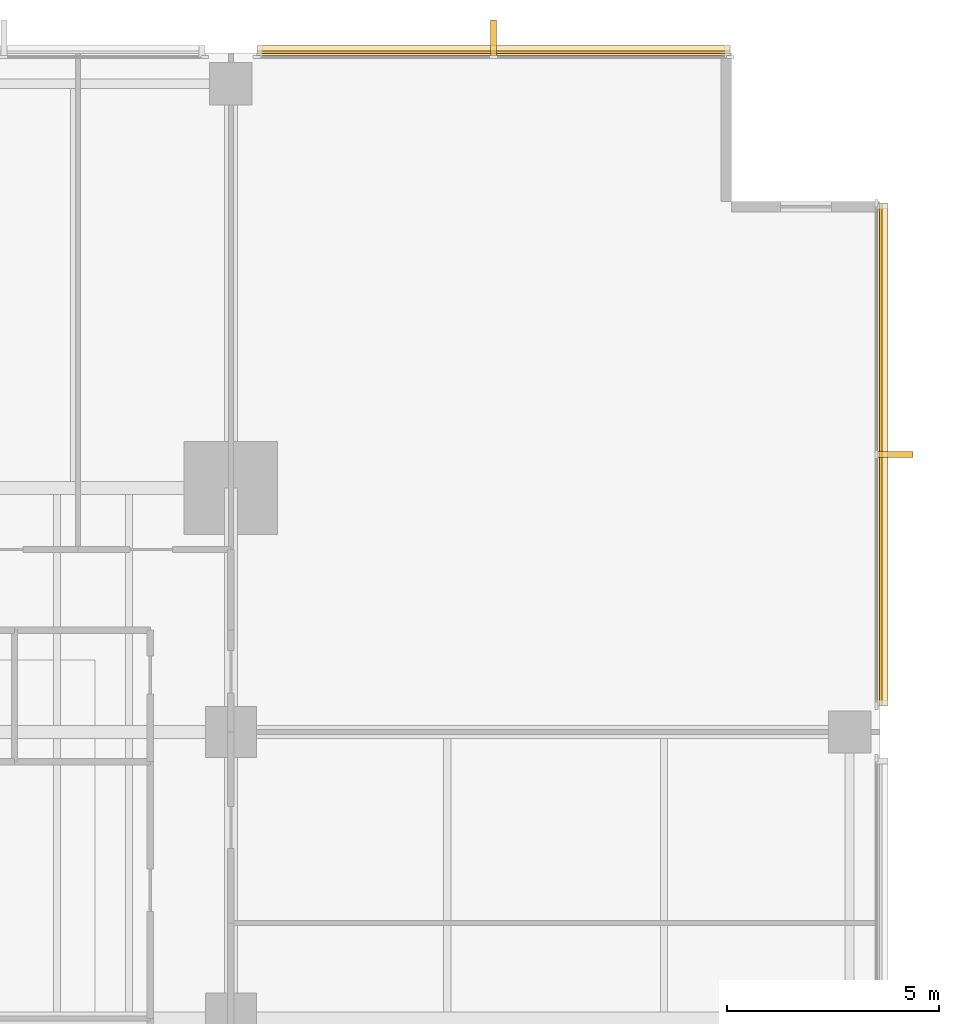
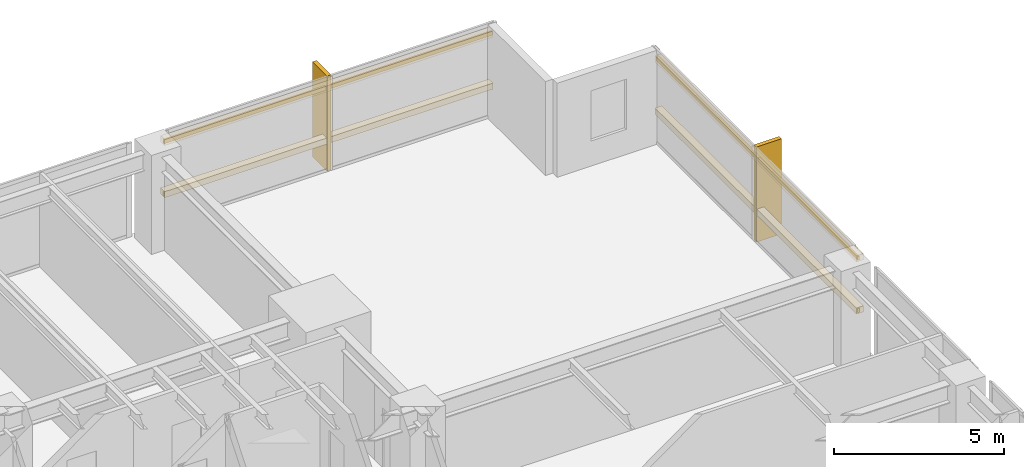
# One storey, part 16 of 16: 6 coverings, 4 shading devices.
"""IFC4 building model written with IfcOpenShell, lengths in metres."""

from ifc_helpers import new_model, si_unit, direction, frame, origin, origin_2d, place, context, subcontext, project, spatial, polyline, rectangle, outline, extrude, material, layer, layer_set, material_profile, profile_set, type_object, element, save


model = new_model("IFC4")

# Units and contexts
model_context = context("Model", 3, precision=1e-05, world=origin(), true_north=direction((0.0, 1.0)))
body_context = subcontext(model_context, "Body", "Model", "MODEL_VIEW")
ifc_project = project(units=[si_unit("LENGTHUNIT", "METRE"), si_unit("AREAUNIT", "SQUARE_METRE"), si_unit("VOLUMEUNIT", "CUBIC_METRE"), si_unit("PLANEANGLEUNIT", "RADIAN"), si_unit("MASSUNIT", "GRAM", prefix="KILO")], contexts=[model_context])

# Site, building, storey
site_placement = place(None, origin())
site = spatial("IfcSite", under=ifc_project, at=site_placement, CompositionType="ELEMENT")
building_placement = place(site_placement, origin())
building = spatial("IfcBuilding", under=site, at=building_placement, Name="Kinhvarn Gate Tower", CompositionType="ELEMENT")
storey_placement = place(building_placement, frame((0.0, 0.0, 82.39990234375)))
storey = spatial("IfcBuildingStorey", under=building, at=storey_placement, Name="L21", CompositionType="ELEMENT", Elevation=82.39990234375)

# Coverings
ifc_material = material(Name="Fired architectural terracotta", Category="masonry")
ifc_layer_1 = layer(ifc_material, 0.239990234375)
ifc_layer_set_1 = layer_set([ifc_layer_1], Name="Fired architectural terracotta")
covering_type_1 = type_object("IfcCoveringType", Name="COV-BAG-220", PredefinedType="CLADDING", material=ifc_layer_set_1)
for number, where, name in (
    (1, (0.0, 0.0, 0.940185546875), "Terracotta Horizontal Sunscreen Band TBG-220 (L21)"),
    (2, (0.0, 0.0, 2.81005859375), "Terracotta Horizontal Sunscreen Band TBG-220 (L21)"),
):
    element("IfcCovering", number, at=place(storey_placement, frame(where)), inside=storey, type_object=covering_type_1, Name=name, PredefinedType="CLADDING", context=body_context, shape_type="SweptSolid", body=[
        extrude(outline(polyline([(49.9599609375, 47.93994140625), (38.820068359375, 47.93994140625), (38.820068359375, 48.179931640625), (49.9599609375, 48.179931640625), (49.9599609375, 47.93994140625)])), origin(), (0.0, 0.0, 1.0), 0.219970703125),
    ])
for number, where, name in (
    (3, (0.0, 0.0, 0.940185546875), "Terracotta Horizontal Sunscreen Band TBG-220 (L21)"),
    (4, (0.0, 0.0, 2.81005859375), "Terracotta Horizontal Sunscreen Band TBG-220 (L21)"),
):
    element("IfcCovering", number, at=place(storey_placement, frame(where)), inside=storey, type_object=covering_type_1, Name=name, PredefinedType="CLADDING", context=body_context, shape_type="SweptSolid", body=[
        extrude(outline(polyline([(53.43994140625, 32.6201171875), (53.43994140625, 44.4599609375), (53.679931640625, 44.4599609375), (53.679931640625, 32.6201171875), (53.43994140625, 32.6201171875)])), origin(), (0.0, 0.0, 1.0), 0.219970703125),
    ])
ifc_layer_2 = layer(ifc_material, 0.139892578125)
ifc_layer_set_2 = layer_set([ifc_layer_2], Name="Fired architectural terracotta")
covering_type_2 = type_object("IfcCoveringType", Name="COV-FIN-850", PredefinedType="CLADDING", material=ifc_layer_set_2)
covering_1_placement = place(storey_placement, frame((0.0, 0.0, -0.02001953125)))
element("IfcCovering", 5, at=covering_1_placement, inside=storey, type_object=covering_type_2, Name="Vertical Terracotta Expressive Fin TFN-850 (L21)", PredefinedType="CLADDING", context=body_context, shape_type="SweptSolid", body=[
    extrude(outline(polyline([(44.4599609375, 47.929931640625), (44.320068359375, 47.929931640625), (44.320068359375, 48.780029296875), (44.4599609375, 48.780029296875), (44.4599609375, 47.929931640625)])), origin(), (0.0, 0.0, 1.0), 3.41015625),
])
covering_2_placement = place(storey_placement, frame((0.0, 0.0, -0.02001953125)))
element("IfcCovering", 6, at=covering_2_placement, inside=storey, type_object=covering_type_2, Name="Vertical Terracotta Expressive Fin TFN-850 (L21)", PredefinedType="CLADDING", context=body_context, shape_type="SweptSolid", body=[
    extrude(outline(polyline([(53.429931640625, 38.469970703125), (53.429931640625, 38.610107421875), (54.280029296875, 38.610107421875), (54.280029296875, 38.469970703125), (53.429931640625, 38.469970703125)])), origin(), (0.0, 0.0, 1.0), 3.41015625),
])

# Shading devices
ifc_material_profile = material_profile(ifc_material, rectangle(XDim=0.06005859375, YDim=0.139892578125, at=origin_2d()), Name="TC 60x140")
ifc_profile_set = profile_set([ifc_material_profile], Name="Fired architectural terracotta")
shading_device_type = type_object("IfcShadingDeviceType", Name="SHD-BAG-180", PredefinedType="USERDEFINED", material=ifc_profile_set)
for number, where, z_axis, x_axis, name in (
    (7, (49.9599609375, 48.014892578125, 1.050048828125), (-1.0, 0.0, 0.0), (0.0, -1.0, 0.0), "Fired Terracotta Baguette Screen Rod 60x140 mm (L21)"),
    (8, (49.9599609375, 48.014892578125, 2.920166015625), (-1.0, 0.0, 0.0), (0.0, -1.0, 0.0), "Fired Terracotta Baguette Screen Rod 60x140 mm (L21)"),
):
    element("IfcShadingDevice", number, at=place(storey_placement, frame(where, z_axis=z_axis, x_axis=x_axis)), inside=storey, type_object=shading_device_type, Name=name, ObjectType="BAGUETTE", PredefinedType="USERDEFINED", context=body_context, shape_type="SweptSolid", body=[
        extrude(rectangle(XDim=0.06005859375, YDim=0.139892578125, at=origin_2d()), origin(), (0.0, 0.0, 1.0), 11.139892578125),
    ])
for number, where, z_axis, x_axis, name in (
    (9, (53.514892578125, 32.6201171875, 1.050048828125), (0.0, 1.0, 0.0), (-1.0, 0.0, 0.0), "Fired Terracotta Baguette Screen Rod 60x140 mm (L21)"),
    (10, (53.514892578125, 32.6201171875, 2.920166015625), (0.0, 1.0, 0.0), (-1.0, 0.0, 0.0), "Fired Terracotta Baguette Screen Rod 60x140 mm (L21)"),
):
    element("IfcShadingDevice", number, at=place(storey_placement, frame(where, z_axis=z_axis, x_axis=x_axis)), inside=storey, type_object=shading_device_type, Name=name, ObjectType="BAGUETTE", PredefinedType="USERDEFINED", context=body_context, shape_type="SweptSolid", body=[
        extrude(rectangle(XDim=0.06005859375, YDim=0.139892578125, at=origin_2d()), origin(), (0.0, 0.0, 1.0), 11.83984375),
    ])

save(model, "model.ifc")
